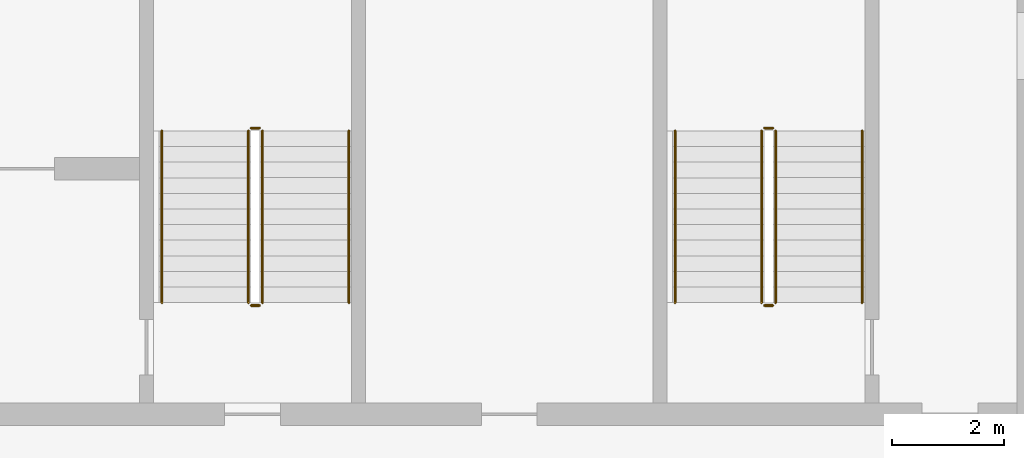
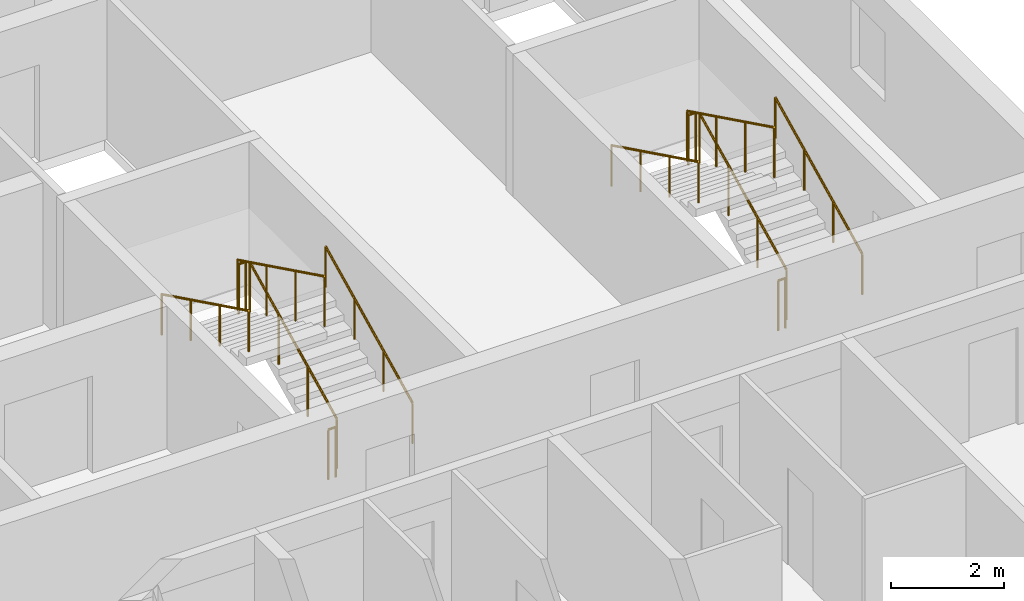
# One storey, part 14 of 26: 12 railings.
"""IFC4 building model written with IfcOpenShell, lengths in metres."""

import ifcopenshell
import ifcopenshell.guid

model = None  # the IFC model being written
_history = None  # IfcOwnerHistory: only IFC2X3 demands one
_inside = {}  # id of a spatial element -> (the spatial element, [elements in it])
_under = {}  # id of a project, library or spatial element -> (it, [spatial elements below it])
_declared = {}  # id of a project -> (the project, [libraries it declares])
_typed = {}  # id of a type object -> (the type object, [elements of that type])
_made_of = {}  # id of a material, layer set ... -> (it, [elements and type objects made of it])


def new_model(schema):
    """Start an empty IFC model of exactly this schema.

    Asked for "IFC4X3", IfcOpenShell would pick the latest addendum, in which some entities
    have other attributes; the version numbers below select the first issue.
    IFC2X3 requires an IfcOwnerHistory on every rooted entity: one is made here for all.
    """
    global model, _history
    if schema == "IFC4X3":
        model = ifcopenshell.file(schema_version=(4, 3, 0, 0))
    else:
        model = ifcopenshell.file(schema=schema)
    _inside.clear()
    _under.clear()
    _declared.clear()
    _typed.clear()
    _made_of.clear()
    _history = None
    if model.schema == "IFC2X3":
        org = make("IfcOrganization", Name="unknown")
        user = make(
            "IfcPersonAndOrganization",
            ThePerson=make("IfcPerson", FamilyName="unknown"),
            TheOrganization=org,
        )
        app = make(
            "IfcApplication",
            ApplicationDeveloper=org,
            Version="unknown",
            ApplicationFullName="unknown",
            ApplicationIdentifier="unknown",
        )
        _history = make(
            "IfcOwnerHistory",
            OwningUser=user,
            OwningApplication=app,
            ChangeAction="ADDED",
            CreationDate=0,
        )
    return model


def make(cls, **values):
    """One entity of the class cls with the attributes given. An attribute that is None is left unset."""
    return model.create_entity(
        cls, **{name: value for name, value in values.items() if value is not None}
    )


def rooted(cls, **values):
    """An entity with a GlobalId (a new one), such as an element, a storey or a relation."""
    return make(cls, GlobalId=ifcopenshell.guid.new(), OwnerHistory=_history, **values)


def si_unit(unit_type, name, prefix=None):
    """IfcSIUnit, for example si_unit("LENGTHUNIT", "METRE", prefix="MILLI")."""
    return make("IfcSIUnit", UnitType=unit_type, Prefix=prefix, Name=name)


def assignment(units):
    """IfcUnitAssignment: the units of a project."""
    return None if units is None else make("IfcUnitAssignment", Units=units)


def point(xyz):
    """IfcCartesianPoint."""
    return None if xyz is None else make("IfcCartesianPoint", Coordinates=xyz)


def direction(xyz):
    """IfcDirection."""
    return None if xyz is None else make("IfcDirection", DirectionRatios=xyz)


def frame(location, z_axis=None, x_axis=None):
    """IfcAxis2Placement3D, a coordinate frame: its origin and axes. An axis left out is left unset."""
    return make(
        "IfcAxis2Placement3D",
        Location=point(location),
        Axis=direction(z_axis),
        RefDirection=direction(x_axis),
    )


def frame_2d(location, x_axis=None):
    """IfcAxis2Placement2D, a coordinate frame in the plane: its origin and x axis."""
    return make(
        "IfcAxis2Placement2D", Location=point(location), RefDirection=direction(x_axis)
    )


def origin():
    """The frame at (0, 0, 0) with its axes left unset."""
    return frame((0.0, 0.0, 0.0))


def origin_2d():
    """The frame at (0, 0) in the plane with its x axis left unset."""
    return frame_2d((0.0, 0.0))


def place(relative_to, where):
    """IfcLocalPlacement: puts the frame where relative to a parent placement (None: the world)."""
    return make(
        "IfcLocalPlacement", PlacementRelTo=relative_to, RelativePlacement=where
    )


def context(
    kind, dimensions, precision=None, world=None, true_north=None, identifier=None
):
    """IfcGeometricRepresentationContext, for example the 3D "Model" context."""
    return make(
        "IfcGeometricRepresentationContext",
        ContextIdentifier=identifier,
        ContextType=kind,
        CoordinateSpaceDimension=dimensions,
        Precision=precision,
        WorldCoordinateSystem=world,
        TrueNorth=true_north,
    )


def subcontext(parent, identifier, kind, view, scale=None):
    """IfcGeometricRepresentationSubContext, for example "Body" below "Model"."""
    return make(
        "IfcGeometricRepresentationSubContext",
        ContextIdentifier=identifier,
        ContextType=kind,
        ParentContext=parent,
        TargetScale=scale,
        TargetView=view,
    )


def project(units=None, contexts=None):
    """IfcProject with its units and contexts."""
    return rooted(
        "IfcProject",
        Name="project",
        RepresentationContexts=contexts,
        UnitsInContext=assignment(units),
    )


def spatial(cls, under=None, at=None, **own):
    """A site, building, storey or space (cls), placed at a placement, below another one or the project."""
    s = rooted(cls, ObjectPlacement=at, **own)
    if under is not None:
        _under.setdefault(under.id(), (under, []))[1].append(s)
    return s


def profile(cls, at=None, kind="AREA", **sizes):
    """A parametric profile (cls). Its sizes go by their IFC names, for example OverallWidth=200.0."""
    return make(cls, ProfileType=kind, Position=at, **sizes)


def circle(**sizes):
    """IfcCircleProfileDef."""
    return profile("IfcCircleProfileDef", **sizes)


def extrude(swept, where, along, depth):
    """IfcExtrudedAreaSolid: the profile swept, set in the frame where, extruded along a direction by depth."""
    return make(
        "IfcExtrudedAreaSolid",
        SweptArea=swept,
        Position=where,
        ExtrudedDirection=direction(along),
        Depth=depth,
    )


def shape(context_of_items, identifier, shape_type, items):
    """IfcShapeRepresentation: the items that make up one representation, for example the "Body"."""
    return make(
        "IfcShapeRepresentation",
        ContextOfItems=context_of_items,
        RepresentationIdentifier=identifier,
        RepresentationType=shape_type,
        Items=items,
    )


def material(Name=None, Category=None):
    """IfcMaterial."""
    return make("IfcMaterial", Name=Name, Category=Category)


def made_of(thing, what):
    """Note that an element or type object is made of a material, layer set ...; save() writes the relation."""
    if what is not None:
        _made_of.setdefault(what.id(), (what, []))[1].append(thing)
    return thing


def type_object(cls, material=None, **own):
    """A type object (cls), such as IfcWallType, which elements share."""
    return made_of(rooted(cls, **own), material)


def element(
    cls,
    number,
    at=None,
    inside=None,
    cuts=None,
    type_object=None,
    material=None,
    context=None,
    identifier="Body",
    shape_type=None,
    held_by="IfcProductDefinitionShape",
    body=None,
    shapes=None,
    **own,
):
    """One element of the class cls, such as IfcWall. Its Tag is "e" and its number.

    at: its placement. inside: the storey or other place that contains it. cuts: it is an
    opening in that element (IfcRelVoidsElement). A single representation is given by context,
    identifier, shape_type and body (its items); several are given by shapes. held_by: the class
    of the entity that holds the representations. save() writes the other relations.
    """
    e = rooted(cls, Tag="e%d" % number, ObjectPlacement=at, **own)
    if body is not None:
        shapes = [shape(context, identifier, shape_type, body)]
    if shapes is not None:
        e.Representation = make(held_by, Representations=shapes)
    if inside is not None:
        _inside.setdefault(inside.id(), (inside, []))[1].append(e)
    if cuts is not None:
        rooted(
            "IfcRelVoidsElement", RelatingBuildingElement=cuts, RelatedOpeningElement=e
        )
    if type_object is not None:
        _typed.setdefault(type_object.id(), (type_object, []))[1].append(e)
    return made_of(e, material)


def aggregate(whole, parts):
    """IfcRelAggregates: a whole, such as a stair, and the parts it consists of."""
    return rooted("IfcRelAggregates", RelatingObject=whole, RelatedObjects=parts)


def save(model, path):
    """Write the relations noted so far, then the file.

    IfcRelAggregates (storeys below a building ...), IfcRelContainedInSpatialStructure (elements
    in a storey), IfcRelDefinesByType, IfcRelAssociatesMaterial and IfcRelDeclares: one each for
    every whole, place, type object, material and project.
    """
    for whole, parts in _under.values():
        aggregate(whole, parts)
    for where, things in _inside.values():
        rooted(
            "IfcRelContainedInSpatialStructure",
            RelatedElements=things,
            RelatingStructure=where,
        )
    for kind, things in _typed.values():
        rooted("IfcRelDefinesByType", RelatedObjects=things, RelatingType=kind)
    for what, things in _made_of.values():
        rooted("IfcRelAssociatesMaterial", RelatedObjects=things, RelatingMaterial=what)
    for by, libraries in _declared.values():
        rooted("IfcRelDeclares", RelatingContext=by, RelatedDefinitions=libraries)
    model.write(path)


model = new_model("IFC4")

# Units and contexts
model_context = context("Model", 3, precision=1e-05, world=origin(), true_north=direction((0.0, 1.0)))
body_context = subcontext(model_context, "Body", "Model", "MODEL_VIEW")
ifc_project = project(units=[si_unit("LENGTHUNIT", "METRE"), si_unit("AREAUNIT", "SQUARE_METRE"), si_unit("VOLUMEUNIT", "CUBIC_METRE"), si_unit("PLANEANGLEUNIT", "RADIAN"), si_unit("MASSUNIT", "GRAM", prefix="KILO")], contexts=[model_context])

# Site, building, storey
site_placement = place(None, origin())
site = spatial("IfcSite", under=ifc_project, at=site_placement, CompositionType="ELEMENT")
building_placement = place(site_placement, origin())
building = spatial("IfcBuilding", under=site, at=building_placement, Name="Poui Terraces", CompositionType="ELEMENT")
storey_placement = place(building_placement, frame((0.0, 0.0, 175.199951171875)))
storey = spatial("IfcBuildingStorey", under=building, at=storey_placement, Name="L48", CompositionType="ELEMENT", Elevation=175.199951171875)

# Railings
ifc_material_1 = material(Name="Galvanised steel balustrade", Category="steel")
railing_type_1 = type_object("IfcRailingType", Name="STAIR GUARD 1100", PredefinedType="GUARDRAIL", material=ifc_material_1)
railing_1_placement = place(storey_placement, frame((70.27490234375, 16.60009765625, 0.137451171875)))
element("IfcRailing", 1, at=railing_1_placement, inside=storey, type_object=railing_type_1, Name="L48 ST-CE stair guard 1", PredefinedType="GUARDRAIL", context=body_context, shape_type="SweptSolid", body=[
    extrude(circle(Radius=0.02392578125, at=origin_2d()), frame((0.0, 0.0, 1.076171875), z_axis=(0.0, 0.897578036475, 0.440855609512), x_axis=(-1.0, 0.0, 0.0)), (0.0, 0.0, 1.0), 3.43115234375),
    extrude(circle(Radius=0.02099609375, at=origin_2d()), origin(), (0.0, 0.0, 1.0), 1.052001953125),
    extrude(circle(Radius=0.02099609375, at=origin_2d()), frame((0.0, 1.026611328125, 0.504150390625)), (0.0, 0.0, 1.0), 1.052001953125),
    extrude(circle(Radius=0.02099609375, at=origin_2d()), frame((0.0, 2.05322265625, 1.008544921875)), (0.0, 0.0, 1.0), 1.052001953125),
    extrude(circle(Radius=0.02099609375, at=origin_2d()), frame((0.0, 3.079833984375, 1.5126953125)), (0.0, 0.0, 1.0), 1.052001953125),
])
railing_2_placement = place(storey_placement, frame((70.22509765625, 19.72998046875, 1.650146484375)))
element("IfcRailing", 2, at=railing_2_placement, inside=storey, type_object=railing_type_1, Name="L48 ST-CE stair guard 2", PredefinedType="GUARDRAIL", context=body_context, shape_type="SweptSolid", body=[
    extrude(circle(Radius=0.02392578125, at=origin_2d()), frame((0.0, 0.0, 1.076171875), z_axis=(-1.0, 0.0, 0.0), x_axis=(0.0, -1.0, 0.0)), (0.0, 0.0, 1.0), 0.150146484375),
    extrude(circle(Radius=0.02099609375, at=origin_2d()), origin(), (0.0, 0.0, 1.0), 1.052001953125),
    extrude(circle(Radius=0.02099609375, at=origin_2d()), frame((-0.150146484375, 0.0, 0.0)), (0.0, 0.0, 1.0), 1.052001953125),
])
railing_3_placement = place(storey_placement, frame((70.02490234375, 19.679931640625, 1.78759765625)))
element("IfcRailing", 3, at=railing_3_placement, inside=storey, type_object=railing_type_1, Name="L48 ST-CE stair guard 3", PredefinedType="GUARDRAIL", context=body_context, shape_type="SweptSolid", body=[
    extrude(circle(Radius=0.02392578125, at=origin_2d()), frame((0.0, 0.0, 1.076171875), z_axis=(0.0, -0.897606190399, 0.440798283751), x_axis=(1.0, 0.0, 0.0)), (0.0, 0.0, 1.0), 3.43115234375),
    extrude(circle(Radius=0.02099609375, at=origin_2d()), origin(), (0.0, 0.0, 1.0), 1.052001953125),
    extrude(circle(Radius=0.02099609375, at=origin_2d()), frame((0.0, -1.026611328125, 0.504150390625)), (0.0, 0.0, 1.0), 1.052001953125),
    extrude(circle(Radius=0.02099609375, at=origin_2d()), frame((0.0, -2.05322265625, 1.00830078125)), (0.0, 0.0, 1.0), 1.052001953125),
    extrude(circle(Radius=0.02099609375, at=origin_2d()), frame((0.0, -3.079833984375, 1.512451171875)), (0.0, 0.0, 1.0), 1.052001953125),
])
railing_4_placement = place(storey_placement, frame((70.22509765625, 16.550048828125, 0.0)))
element("IfcRailing", 4, at=railing_4_placement, inside=storey, type_object=railing_type_1, Name="L48 ST-CE stair guard 4", PredefinedType="GUARDRAIL", context=body_context, shape_type="SweptSolid", body=[
    extrude(circle(Radius=0.02392578125, at=origin_2d()), frame((0.0, 0.0, 1.076171875), z_axis=(-1.0, 0.0, 0.0), x_axis=(0.0, -1.0, 0.0)), (0.0, 0.0, 1.0), 0.150146484375),
    extrude(circle(Radius=0.02099609375, at=origin_2d()), origin(), (0.0, 0.0, 1.0), 1.052001953125),
    extrude(circle(Radius=0.02099609375, at=origin_2d()), frame((-0.150146484375, 0.0, 0.0)), (0.0, 0.0, 1.0), 1.052001953125),
])
railing_5_placement = place(storey_placement, frame((79.47509765625, 16.60009765625, 0.137451171875)))
element("IfcRailing", 5, at=railing_5_placement, inside=storey, type_object=railing_type_1, Name="L48 ST-E stair guard 1", PredefinedType="GUARDRAIL", context=body_context, shape_type="SweptSolid", body=[
    extrude(circle(Radius=0.02392578125, at=origin_2d()), frame((0.0, 0.0, 1.076171875), z_axis=(0.0, 0.897578036475, 0.440855609512), x_axis=(-1.0, 0.0, 0.0)), (0.0, 0.0, 1.0), 3.43115234375),
    extrude(circle(Radius=0.02099609375, at=origin_2d()), origin(), (0.0, 0.0, 1.0), 1.052001953125),
    extrude(circle(Radius=0.02099609375, at=origin_2d()), frame((0.0, 1.026611328125, 0.504150390625)), (0.0, 0.0, 1.0), 1.052001953125),
    extrude(circle(Radius=0.02099609375, at=origin_2d()), frame((0.0, 2.05322265625, 1.008544921875)), (0.0, 0.0, 1.0), 1.052001953125),
    extrude(circle(Radius=0.02099609375, at=origin_2d()), frame((0.0, 3.079833984375, 1.5126953125)), (0.0, 0.0, 1.0), 1.052001953125),
])
railing_6_placement = place(storey_placement, frame((79.425048828125, 19.72998046875, 1.650146484375)))
element("IfcRailing", 6, at=railing_6_placement, inside=storey, type_object=railing_type_1, Name="L48 ST-E stair guard 2", PredefinedType="GUARDRAIL", context=body_context, shape_type="SweptSolid", body=[
    extrude(circle(Radius=0.02392578125, at=origin_2d()), frame((0.0, 0.0, 1.076171875), z_axis=(-1.0, 0.0, 0.0), x_axis=(0.0, -1.0, 0.0)), (0.0, 0.0, 1.0), 0.150146484375),
    extrude(circle(Radius=0.02099609375, at=origin_2d()), origin(), (0.0, 0.0, 1.0), 1.052001953125),
    extrude(circle(Radius=0.02099609375, at=origin_2d()), frame((-0.150146484375, 0.0, 0.0)), (0.0, 0.0, 1.0), 1.052001953125),
])
railing_7_placement = place(storey_placement, frame((79.22509765625, 19.679931640625, 1.78759765625)))
element("IfcRailing", 7, at=railing_7_placement, inside=storey, type_object=railing_type_1, Name="L48 ST-E stair guard 3", PredefinedType="GUARDRAIL", context=body_context, shape_type="SweptSolid", body=[
    extrude(circle(Radius=0.02392578125, at=origin_2d()), frame((0.0, 0.0, 1.076171875), z_axis=(0.0, -0.897606190399, 0.440798283751), x_axis=(1.0, 0.0, 0.0)), (0.0, 0.0, 1.0), 3.43115234375),
    extrude(circle(Radius=0.02099609375, at=origin_2d()), origin(), (0.0, 0.0, 1.0), 1.052001953125),
    extrude(circle(Radius=0.02099609375, at=origin_2d()), frame((0.0, -1.026611328125, 0.504150390625)), (0.0, 0.0, 1.0), 1.052001953125),
    extrude(circle(Radius=0.02099609375, at=origin_2d()), frame((0.0, -2.05322265625, 1.00830078125)), (0.0, 0.0, 1.0), 1.052001953125),
    extrude(circle(Radius=0.02099609375, at=origin_2d()), frame((0.0, -3.079833984375, 1.512451171875)), (0.0, 0.0, 1.0), 1.052001953125),
])
railing_8_placement = place(storey_placement, frame((79.425048828125, 16.550048828125, 0.0)))
element("IfcRailing", 8, at=railing_8_placement, inside=storey, type_object=railing_type_1, Name="L48 ST-E stair guard 4", PredefinedType="GUARDRAIL", context=body_context, shape_type="SweptSolid", body=[
    extrude(circle(Radius=0.02392578125, at=origin_2d()), frame((0.0, 0.0, 1.076171875), z_axis=(-1.0, 0.0, 0.0), x_axis=(0.0, -1.0, 0.0)), (0.0, 0.0, 1.0), 0.150146484375),
    extrude(circle(Radius=0.02099609375, at=origin_2d()), origin(), (0.0, 0.0, 1.0), 1.052001953125),
    extrude(circle(Radius=0.02099609375, at=origin_2d()), frame((-0.150146484375, 0.0, 0.0)), (0.0, 0.0, 1.0), 1.052001953125),
])
ifc_material_2 = material(Name="Stainless steel handrail", Category="steel")
railing_type_2 = type_object("IfcRailingType", Name="STAIR HANDRAIL 900", PredefinedType="HANDRAIL", material=ifc_material_2)
railing_9_placement = place(storey_placement, frame((71.824951171875, 16.60009765625, 0.137451171875)))
element("IfcRailing", 9, at=railing_9_placement, inside=storey, type_object=railing_type_2, Name="L48 ST-CE stair handrail 1", PredefinedType="HANDRAIL", context=body_context, shape_type="SweptSolid", body=[
    extrude(circle(Radius=0.02392578125, at=origin_2d()), frame((0.0, 0.0, 0.8759765625), z_axis=(0.0, 0.897578036475, 0.440855609512), x_axis=(-1.0, 0.0, 0.0)), (0.0, 0.0, 1.0), 3.43115234375),
    extrude(circle(Radius=0.02099609375, at=origin_2d()), origin(), (0.0, 0.0, 1.0), 0.851806640625),
    extrude(circle(Radius=0.02099609375, at=origin_2d()), frame((0.0, 1.026611328125, 0.504150390625)), (0.0, 0.0, 1.0), 0.851806640625),
    extrude(circle(Radius=0.02099609375, at=origin_2d()), frame((0.0, 2.05322265625, 1.008544921875)), (0.0, 0.0, 1.0), 0.851806640625),
    extrude(circle(Radius=0.02099609375, at=origin_2d()), frame((0.0, 3.079833984375, 1.5126953125)), (0.0, 0.0, 1.0), 0.851806640625),
])
railing_10_placement = place(storey_placement, frame((68.47509765625, 19.679931640625, 1.78759765625)))
element("IfcRailing", 10, at=railing_10_placement, inside=storey, type_object=railing_type_2, Name="L48 ST-CE stair handrail 2", PredefinedType="HANDRAIL", context=body_context, shape_type="SweptSolid", body=[
    extrude(circle(Radius=0.02392578125, at=origin_2d()), frame((0.0, 0.0, 0.8759765625), z_axis=(0.0, -0.897606190399, 0.440798283751), x_axis=(1.0, 0.0, 0.0)), (0.0, 0.0, 1.0), 3.43115234375),
    extrude(circle(Radius=0.02099609375, at=origin_2d()), origin(), (0.0, 0.0, 1.0), 0.851806640625),
    extrude(circle(Radius=0.02099609375, at=origin_2d()), frame((0.0, -1.026611328125, 0.504150390625)), (0.0, 0.0, 1.0), 0.851806640625),
    extrude(circle(Radius=0.02099609375, at=origin_2d()), frame((0.0, -2.05322265625, 1.00830078125)), (0.0, 0.0, 1.0), 0.851806640625),
    extrude(circle(Radius=0.02099609375, at=origin_2d()), frame((0.0, -3.079833984375, 1.512451171875)), (0.0, 0.0, 1.0), 0.851806640625),
])
railing_11_placement = place(storey_placement, frame((81.02490234375, 16.60009765625, 0.137451171875)))
element("IfcRailing", 11, at=railing_11_placement, inside=storey, type_object=railing_type_2, Name="L48 ST-E stair handrail 1", PredefinedType="HANDRAIL", context=body_context, shape_type="SweptSolid", body=[
    extrude(circle(Radius=0.02392578125, at=origin_2d()), frame((0.0, 0.0, 0.8759765625), z_axis=(0.0, 0.897578036475, 0.440855609512), x_axis=(-1.0, 0.0, 0.0)), (0.0, 0.0, 1.0), 3.43115234375),
    extrude(circle(Radius=0.02099609375, at=origin_2d()), origin(), (0.0, 0.0, 1.0), 0.851806640625),
    extrude(circle(Radius=0.02099609375, at=origin_2d()), frame((0.0, 1.026611328125, 0.504150390625)), (0.0, 0.0, 1.0), 0.851806640625),
    extrude(circle(Radius=0.02099609375, at=origin_2d()), frame((0.0, 2.05322265625, 1.008544921875)), (0.0, 0.0, 1.0), 0.851806640625),
    extrude(circle(Radius=0.02099609375, at=origin_2d()), frame((0.0, 3.079833984375, 1.5126953125)), (0.0, 0.0, 1.0), 0.851806640625),
])
railing_12_placement = place(storey_placement, frame((77.675048828125, 19.679931640625, 1.78759765625)))
element("IfcRailing", 12, at=railing_12_placement, inside=storey, type_object=railing_type_2, Name="L48 ST-E stair handrail 2", PredefinedType="HANDRAIL", context=body_context, shape_type="SweptSolid", body=[
    extrude(circle(Radius=0.02392578125, at=origin_2d()), frame((0.0, 0.0, 0.8759765625), z_axis=(0.0, -0.897606190399, 0.440798283751), x_axis=(1.0, 0.0, 0.0)), (0.0, 0.0, 1.0), 3.43115234375),
    extrude(circle(Radius=0.02099609375, at=origin_2d()), origin(), (0.0, 0.0, 1.0), 0.851806640625),
    extrude(circle(Radius=0.02099609375, at=origin_2d()), frame((0.0, -1.026611328125, 0.504150390625)), (0.0, 0.0, 1.0), 0.851806640625),
    extrude(circle(Radius=0.02099609375, at=origin_2d()), frame((0.0, -2.05322265625, 1.00830078125)), (0.0, 0.0, 1.0), 0.851806640625),
    extrude(circle(Radius=0.02099609375, at=origin_2d()), frame((0.0, -3.079833984375, 1.512451171875)), (0.0, 0.0, 1.0), 0.851806640625),
])

save(model, "model.ifc")
